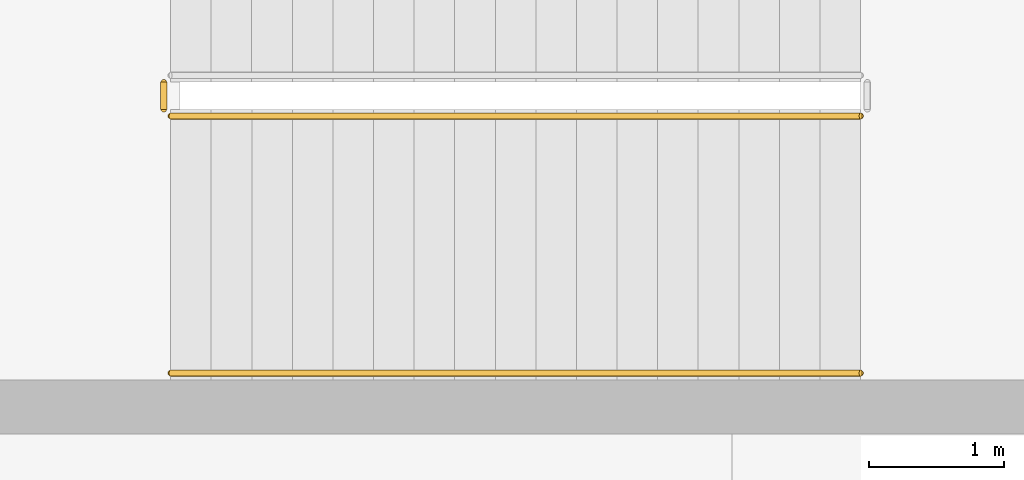
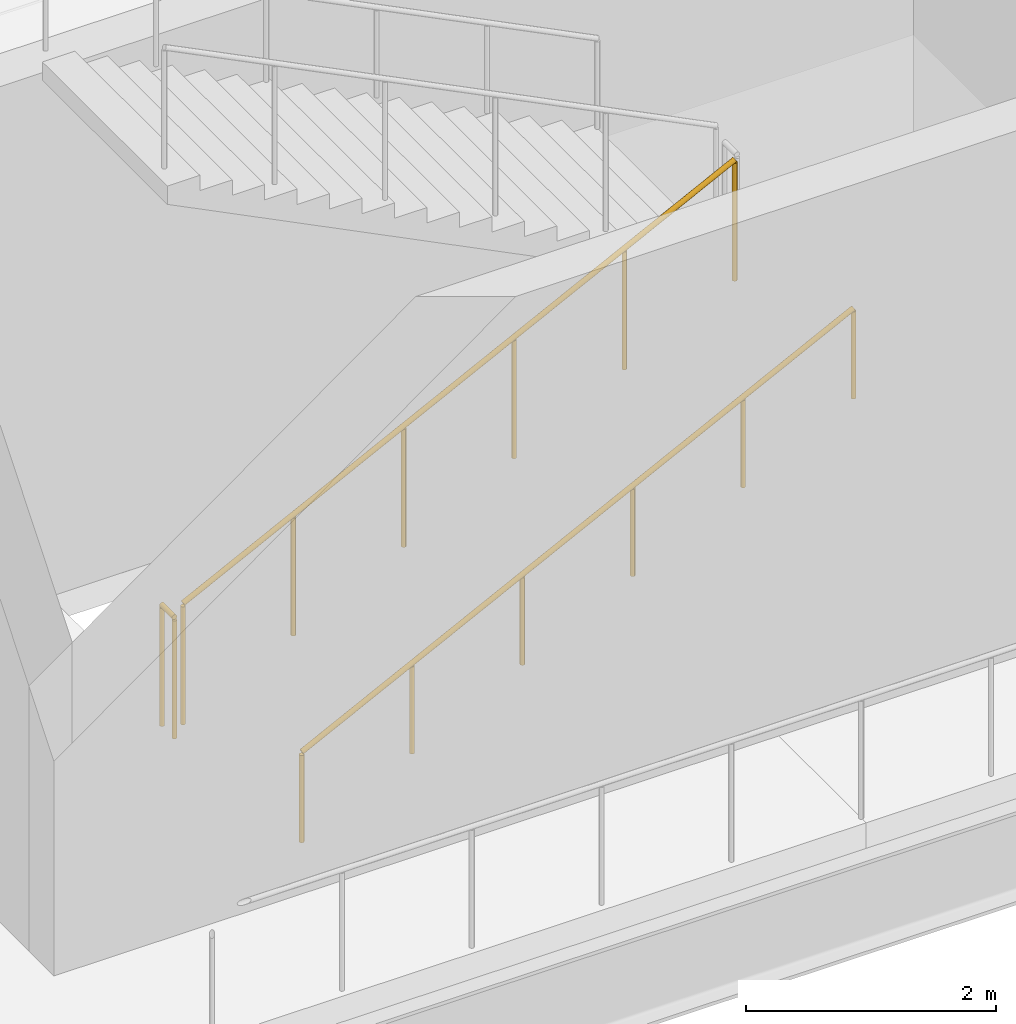
# One storey, part 100 of 110: 3 railings.
"""IFC4 building model written with IfcOpenShell, lengths in metres."""

import ifcopenshell
import ifcopenshell.guid

model = None  # the IFC model being written
_history = None  # IfcOwnerHistory: only IFC2X3 demands one
_inside = {}  # id of a spatial element -> (the spatial element, [elements in it])
_under = {}  # id of a project, library or spatial element -> (it, [spatial elements below it])
_declared = {}  # id of a project -> (the project, [libraries it declares])
_typed = {}  # id of a type object -> (the type object, [elements of that type])
_made_of = {}  # id of a material, layer set ... -> (it, [elements and type objects made of it])


def new_model(schema):
    """Start an empty IFC model of exactly this schema.

    Asked for "IFC4X3", IfcOpenShell would pick the latest addendum, in which some entities
    have other attributes; the version numbers below select the first issue.
    IFC2X3 requires an IfcOwnerHistory on every rooted entity: one is made here for all.
    """
    global model, _history
    if schema == "IFC4X3":
        model = ifcopenshell.file(schema_version=(4, 3, 0, 0))
    else:
        model = ifcopenshell.file(schema=schema)
    _inside.clear()
    _under.clear()
    _declared.clear()
    _typed.clear()
    _made_of.clear()
    _history = None
    if model.schema == "IFC2X3":
        org = make("IfcOrganization", Name="unknown")
        user = make(
            "IfcPersonAndOrganization",
            ThePerson=make("IfcPerson", FamilyName="unknown"),
            TheOrganization=org,
        )
        app = make(
            "IfcApplication",
            ApplicationDeveloper=org,
            Version="unknown",
            ApplicationFullName="unknown",
            ApplicationIdentifier="unknown",
        )
        _history = make(
            "IfcOwnerHistory",
            OwningUser=user,
            OwningApplication=app,
            ChangeAction="ADDED",
            CreationDate=0,
        )
    return model


def make(cls, **values):
    """One entity of the class cls with the attributes given. An attribute that is None is left unset."""
    return model.create_entity(
        cls, **{name: value for name, value in values.items() if value is not None}
    )


def rooted(cls, **values):
    """An entity with a GlobalId (a new one), such as an element, a storey or a relation."""
    return make(cls, GlobalId=ifcopenshell.guid.new(), OwnerHistory=_history, **values)


def si_unit(unit_type, name, prefix=None):
    """IfcSIUnit, for example si_unit("LENGTHUNIT", "METRE", prefix="MILLI")."""
    return make("IfcSIUnit", UnitType=unit_type, Prefix=prefix, Name=name)


def assignment(units):
    """IfcUnitAssignment: the units of a project."""
    return None if units is None else make("IfcUnitAssignment", Units=units)


def point(xyz):
    """IfcCartesianPoint."""
    return None if xyz is None else make("IfcCartesianPoint", Coordinates=xyz)


def direction(xyz):
    """IfcDirection."""
    return None if xyz is None else make("IfcDirection", DirectionRatios=xyz)


def frame(location, z_axis=None, x_axis=None):
    """IfcAxis2Placement3D, a coordinate frame: its origin and axes. An axis left out is left unset."""
    return make(
        "IfcAxis2Placement3D",
        Location=point(location),
        Axis=direction(z_axis),
        RefDirection=direction(x_axis),
    )


def frame_2d(location, x_axis=None):
    """IfcAxis2Placement2D, a coordinate frame in the plane: its origin and x axis."""
    return make(
        "IfcAxis2Placement2D", Location=point(location), RefDirection=direction(x_axis)
    )


def origin():
    """The frame at (0, 0, 0) with its axes left unset."""
    return frame((0.0, 0.0, 0.0))


def origin_2d():
    """The frame at (0, 0) in the plane with its x axis left unset."""
    return frame_2d((0.0, 0.0))


def place(relative_to, where):
    """IfcLocalPlacement: puts the frame where relative to a parent placement (None: the world)."""
    return make(
        "IfcLocalPlacement", PlacementRelTo=relative_to, RelativePlacement=where
    )


def context(
    kind, dimensions, precision=None, world=None, true_north=None, identifier=None
):
    """IfcGeometricRepresentationContext, for example the 3D "Model" context."""
    return make(
        "IfcGeometricRepresentationContext",
        ContextIdentifier=identifier,
        ContextType=kind,
        CoordinateSpaceDimension=dimensions,
        Precision=precision,
        WorldCoordinateSystem=world,
        TrueNorth=true_north,
    )


def subcontext(parent, identifier, kind, view, scale=None):
    """IfcGeometricRepresentationSubContext, for example "Body" below "Model"."""
    return make(
        "IfcGeometricRepresentationSubContext",
        ContextIdentifier=identifier,
        ContextType=kind,
        ParentContext=parent,
        TargetScale=scale,
        TargetView=view,
    )


def project(units=None, contexts=None):
    """IfcProject with its units and contexts."""
    return rooted(
        "IfcProject",
        Name="project",
        RepresentationContexts=contexts,
        UnitsInContext=assignment(units),
    )


def spatial(cls, under=None, at=None, **own):
    """A site, building, storey or space (cls), placed at a placement, below another one or the project."""
    s = rooted(cls, ObjectPlacement=at, **own)
    if under is not None:
        _under.setdefault(under.id(), (under, []))[1].append(s)
    return s


def profile(cls, at=None, kind="AREA", **sizes):
    """A parametric profile (cls). Its sizes go by their IFC names, for example OverallWidth=200.0."""
    return make(cls, ProfileType=kind, Position=at, **sizes)


def circle(**sizes):
    """IfcCircleProfileDef."""
    return profile("IfcCircleProfileDef", **sizes)


def extrude(swept, where, along, depth):
    """IfcExtrudedAreaSolid: the profile swept, set in the frame where, extruded along a direction by depth."""
    return make(
        "IfcExtrudedAreaSolid",
        SweptArea=swept,
        Position=where,
        ExtrudedDirection=direction(along),
        Depth=depth,
    )


def shape(context_of_items, identifier, shape_type, items):
    """IfcShapeRepresentation: the items that make up one representation, for example the "Body"."""
    return make(
        "IfcShapeRepresentation",
        ContextOfItems=context_of_items,
        RepresentationIdentifier=identifier,
        RepresentationType=shape_type,
        Items=items,
    )


def material(Name=None, Category=None):
    """IfcMaterial."""
    return make("IfcMaterial", Name=Name, Category=Category)


def made_of(thing, what):
    """Note that an element or type object is made of a material, layer set ...; save() writes the relation."""
    if what is not None:
        _made_of.setdefault(what.id(), (what, []))[1].append(thing)
    return thing


def type_object(cls, material=None, **own):
    """A type object (cls), such as IfcWallType, which elements share."""
    return made_of(rooted(cls, **own), material)


def element(
    cls,
    number,
    at=None,
    inside=None,
    cuts=None,
    type_object=None,
    material=None,
    context=None,
    identifier="Body",
    shape_type=None,
    held_by="IfcProductDefinitionShape",
    body=None,
    shapes=None,
    **own,
):
    """One element of the class cls, such as IfcWall. Its Tag is "e" and its number.

    at: its placement. inside: the storey or other place that contains it. cuts: it is an
    opening in that element (IfcRelVoidsElement). A single representation is given by context,
    identifier, shape_type and body (its items); several are given by shapes. held_by: the class
    of the entity that holds the representations. save() writes the other relations.
    """
    e = rooted(cls, Tag="e%d" % number, ObjectPlacement=at, **own)
    if body is not None:
        shapes = [shape(context, identifier, shape_type, body)]
    if shapes is not None:
        e.Representation = make(held_by, Representations=shapes)
    if inside is not None:
        _inside.setdefault(inside.id(), (inside, []))[1].append(e)
    if cuts is not None:
        rooted(
            "IfcRelVoidsElement", RelatingBuildingElement=cuts, RelatedOpeningElement=e
        )
    if type_object is not None:
        _typed.setdefault(type_object.id(), (type_object, []))[1].append(e)
    return made_of(e, material)


def aggregate(whole, parts):
    """IfcRelAggregates: a whole, such as a stair, and the parts it consists of."""
    return rooted("IfcRelAggregates", RelatingObject=whole, RelatedObjects=parts)


def save(model, path):
    """Write the relations noted so far, then the file.

    IfcRelAggregates (storeys below a building ...), IfcRelContainedInSpatialStructure (elements
    in a storey), IfcRelDefinesByType, IfcRelAssociatesMaterial and IfcRelDeclares: one each for
    every whole, place, type object, material and project.
    """
    for whole, parts in _under.values():
        aggregate(whole, parts)
    for where, things in _inside.values():
        rooted(
            "IfcRelContainedInSpatialStructure",
            RelatedElements=things,
            RelatingStructure=where,
        )
    for kind, things in _typed.values():
        rooted("IfcRelDefinesByType", RelatedObjects=things, RelatingType=kind)
    for what, things in _made_of.values():
        rooted("IfcRelAssociatesMaterial", RelatedObjects=things, RelatingMaterial=what)
    for by, libraries in _declared.values():
        rooted("IfcRelDeclares", RelatingContext=by, RelatedDefinitions=libraries)
    model.write(path)


model = new_model("IFC4")

# Units and contexts
model_context = context("Model", 3, precision=1e-05, world=origin(), true_north=direction((0.0, 1.0)))
body_context = subcontext(model_context, "Body", "Model", "MODEL_VIEW")
ifc_project = project(units=[si_unit("LENGTHUNIT", "METRE"), si_unit("AREAUNIT", "SQUARE_METRE"), si_unit("VOLUMEUNIT", "CUBIC_METRE"), si_unit("PLANEANGLEUNIT", "RADIAN"), si_unit("MASSUNIT", "GRAM", prefix="KILO"), si_unit("THERMODYNAMICTEMPERATUREUNIT", "KELVIN")], contexts=[model_context])

# Site, building, storey
site_placement = place(None, origin())
site = spatial("IfcSite", under=ifc_project, at=site_placement, CompositionType="ELEMENT")
building_placement = place(site_placement, origin())
building = spatial("IfcBuilding", under=site, at=building_placement, Name="Lustrewick Department Store", CompositionType="ELEMENT")
storey_placement = place(building_placement, frame((0.0, 0.0, 6.0)))
storey = spatial("IfcBuildingStorey", under=building, at=storey_placement, Name="L02", CompositionType="ELEMENT", Elevation=6.0)

# Railings
ifc_material_1 = material(Name="Painted tubular steel stairwell guardrail", Category="steel")
railing_type_1 = type_object("IfcRailingType", Name="RL-STG", PredefinedType="GUARDRAIL", material=ifc_material_1)
railing_1_placement = place(storey_placement, frame((79.85009765625, 96.14990234375, 0.14990234375)))
element("IfcRailing", 1, at=railing_1_placement, inside=storey, type_object=railing_type_1, Name="L02 ST06 Stair Guard 1", PredefinedType="GUARDRAIL", context=body_context, shape_type="SweptSolid", body=[
    extrude(circle(Radius=0.02392578125, at=origin_2d()), frame((0.0, 0.0, 1.17578125), z_axis=(0.894418627299, 0.0, 0.447230722492), x_axis=(0.0, 1.0, 0.0)), (0.0, 0.0, 1.0), 5.701904296875),
    extrude(circle(Radius=0.02099609375, at=origin_2d()), origin(), (0.0, 0.0, 1.0), 1.15185546875),
    extrude(circle(Radius=0.02099609375, at=origin_2d()), frame((1.02001953125, 0.0, 0.510009765625)), (0.0, 0.0, 1.0), 1.15185546875),
    extrude(circle(Radius=0.02099609375, at=origin_2d()), frame((2.0400390625, 0.0, 1.02001953125)), (0.0, 0.0, 1.0), 1.15185546875),
    extrude(circle(Radius=0.02099609375, at=origin_2d()), frame((3.059814453125, 0.0, 1.530029296875)), (0.0, 0.0, 1.0), 1.15185546875),
    extrude(circle(Radius=0.02099609375, at=origin_2d()), frame((4.079833984375, 0.0, 2.0400390625)), (0.0, 0.0, 1.0), 1.15185546875),
    extrude(circle(Radius=0.02099609375, at=origin_2d()), frame((5.099853515625, 0.0, 2.550048828125)), (0.0, 0.0, 1.0), 1.15185546875),
])
railing_2_placement = place(storey_placement, frame((79.800048828125, 96.199951171875, 0.0)))
element("IfcRailing", 2, at=railing_2_placement, inside=storey, type_object=railing_type_1, Name="L02 ST06 Stair Guard 4", PredefinedType="GUARDRAIL", context=body_context, shape_type="SweptSolid", body=[
    extrude(circle(Radius=0.02392578125, at=origin_2d()), frame((0.0, 0.0, 1.17578125), z_axis=(0.0, 1.0, 0.0), x_axis=(-1.0, 0.0, 0.0)), (0.0, 0.0, 1.0), 0.199951171875),
    extrude(circle(Radius=0.02099609375, at=origin_2d()), origin(), (0.0, 0.0, 1.0), 1.15185546875),
    extrude(circle(Radius=0.02099609375, at=origin_2d()), frame((0.0, 0.199951171875, 0.0)), (0.0, 0.0, 1.0), 1.15185546875),
])
ifc_material_2 = material(Name="Brushed stainless steel wall handrail", Category="steel")
railing_type_2 = type_object("IfcRailingType", Name="RL-STH", PredefinedType="HANDRAIL", material=ifc_material_2)
railing_3_placement = place(storey_placement, frame((79.85009765625, 94.25, 0.14990234375)))
element("IfcRailing", 3, at=railing_3_placement, inside=storey, type_object=railing_type_2, Name="L02 ST06 Stair Handrail 1", PredefinedType="HANDRAIL", context=body_context, shape_type="SweptSolid", body=[
    extrude(circle(Radius=0.02392578125, at=origin_2d()), frame((0.0, 0.0, 0.8759765625), z_axis=(0.894418627299, 0.0, 0.447230722492), x_axis=(0.0, 1.0, 0.0)), (0.0, 0.0, 1.0), 5.701904296875),
    extrude(circle(Radius=0.02099609375, at=origin_2d()), origin(), (0.0, 0.0, 1.0), 0.851806640625),
    extrude(circle(Radius=0.02099609375, at=origin_2d()), frame((1.02001953125, 0.0, 0.510009765625)), (0.0, 0.0, 1.0), 0.851806640625),
    extrude(circle(Radius=0.02099609375, at=origin_2d()), frame((2.0400390625, 0.0, 1.02001953125)), (0.0, 0.0, 1.0), 0.851806640625),
    extrude(circle(Radius=0.02099609375, at=origin_2d()), frame((3.059814453125, 0.0, 1.530029296875)), (0.0, 0.0, 1.0), 0.851806640625),
    extrude(circle(Radius=0.02099609375, at=origin_2d()), frame((4.079833984375, 0.0, 2.0400390625)), (0.0, 0.0, 1.0), 0.851806640625),
    extrude(circle(Radius=0.02099609375, at=origin_2d()), frame((5.099853515625, 0.0, 2.550048828125)), (0.0, 0.0, 1.0), 0.851806640625),
])

save(model, "model.ifc")
